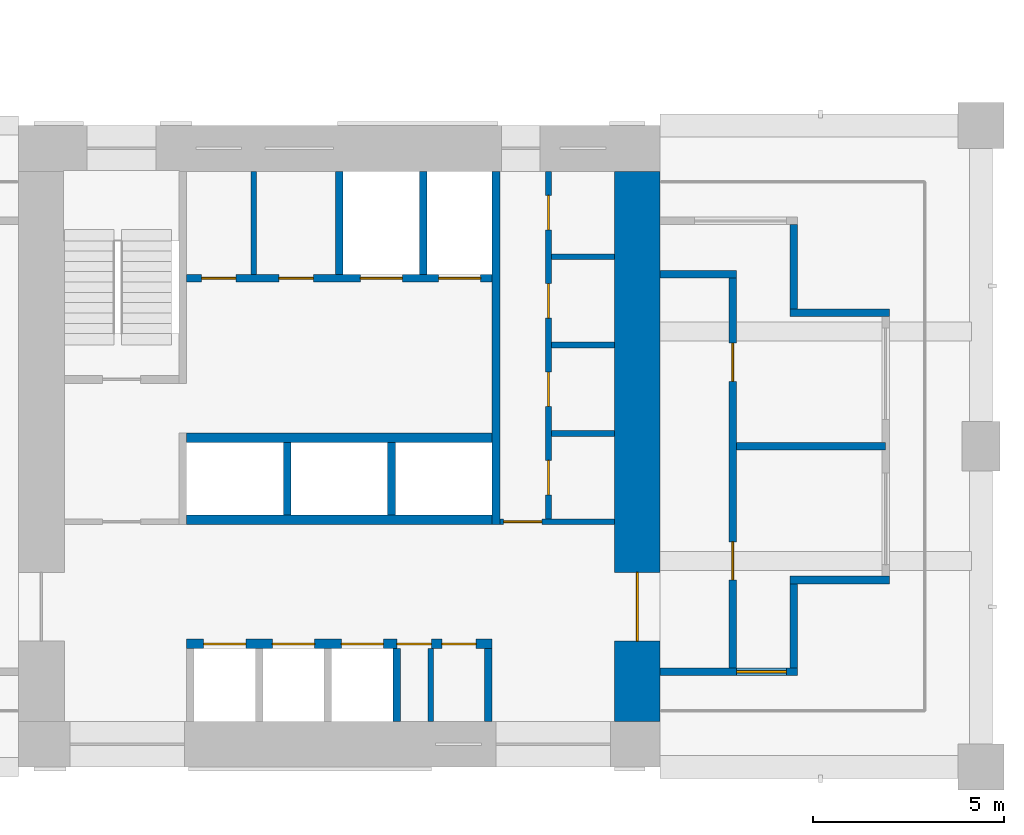
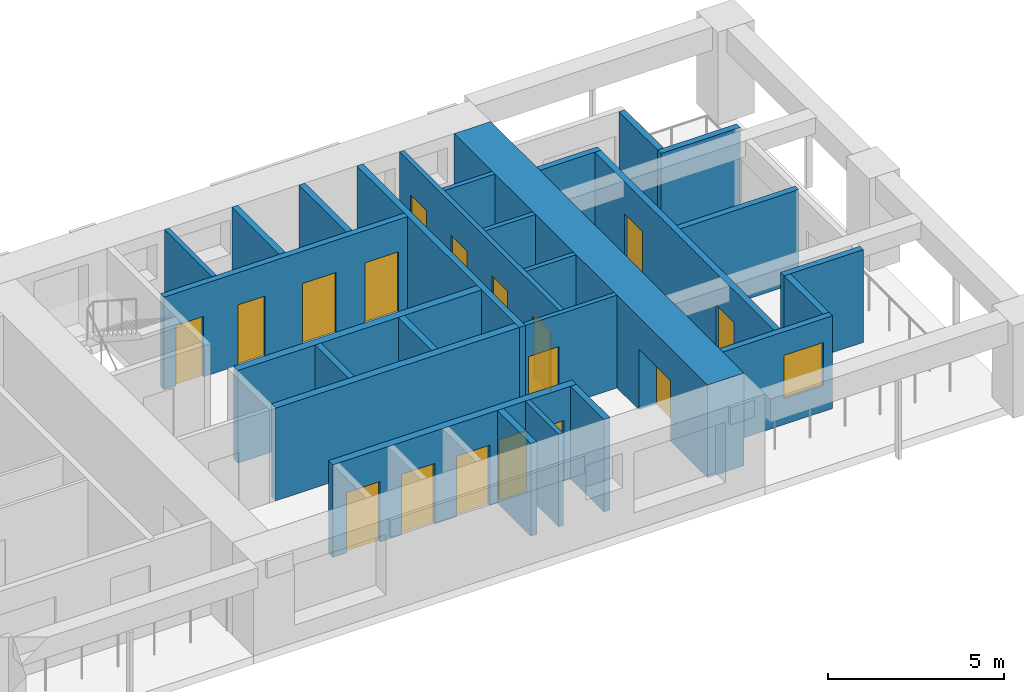
# One storey, part 6 of 17: 27 walls, 17 doors, 1 window, 18 openings.
"""IFC4 building model written with IfcOpenShell, lengths in metres."""

from ifc_helpers import new_model, si_unit, direction, frame, frame_2d, origin, place, context, subcontext, project, spatial, rectangle, extrude, material, layer, layer_set, type_object, element, fill, save


model = new_model("IFC4")

# Units and contexts
model_context = context("Model", 3, precision=1e-05, world=origin(), true_north=direction((0.0, 1.0)))
body_context = subcontext(model_context, "Body", "Model", "MODEL_VIEW")
ifc_project = project(units=[si_unit("LENGTHUNIT", "METRE"), si_unit("AREAUNIT", "SQUARE_METRE"), si_unit("VOLUMEUNIT", "CUBIC_METRE"), si_unit("PLANEANGLEUNIT", "RADIAN"), si_unit("MASSUNIT", "GRAM", prefix="KILO")], contexts=[model_context])

# Site, building, storey
site_placement = place(None, origin())
site = spatial("IfcSite", under=ifc_project, at=site_placement, CompositionType="ELEMENT")
building_placement = place(site_placement, origin())
building = spatial("IfcBuilding", under=site, at=building_placement, Name="Vermilion Gate Residences", CompositionType="ELEMENT")
storey_placement = place(building_placement, frame((0.0, 0.0, 91.699951171875)))
storey = spatial("IfcBuildingStorey", under=building, at=storey_placement, Name="L22", CompositionType="ELEMENT", Elevation=91.699951171875)

# Walls
ifc_material_1 = material(Name="Masonry blockwork", Category="masonry")
ifc_layer_1 = layer(ifc_material_1, 0.14990234375)
ifc_layer_set_1 = layer_set([ifc_layer_1], Name="BLOCKWORK PARTITION 150 EI 120")
wall_type_1 = type_object("IfcWallType", Name="BLOCKWORK PARTITION 150 EI 120", PredefinedType="PARTITIONING", material=ifc_layer_set_1)
wall_1_placement = place(storey_placement, frame((52.79248046875, 9.60009765625, 0.0), z_axis=(0.0, 0.0, 1.0), x_axis=(0.0, 1.0, 0.0)))
element("IfcWall", 1, at=wall_1_placement, inside=storey, type_object=wall_type_1, Name="Core room partition A22-SR-P0", PredefinedType="PARTITIONING", context=body_context, shape_type="SweptSolid", body=[
    extrude(rectangle(XDim=1.89990234375, YDim=0.14990234375, at=frame_2d((0.949951171875, 0.0))), origin(), (0.0, 0.0, 1.0), 3.219970703125),
])
wall_2_placement = place(storey_placement, frame((48.16259765625, 21.300048828125, 0.0), z_axis=(0.0, 0.0, 1.0), x_axis=(0.0, 1.0, 0.0)))
element("IfcWall", 2, at=wall_2_placement, inside=storey, type_object=wall_type_1, Name="Core room partition A22-NR-P0", PredefinedType="PARTITIONING", context=body_context, shape_type="SweptSolid", body=[
    extrude(rectangle(XDim=2.699951171875, YDim=0.14990234375, at=frame_2d((1.35009765625, 0.0))), origin(), (0.0, 0.0, 1.0), 3.219970703125),
])

# Wall, opening, door
wall_3_placement = place(storey_placement, frame((54.60009765625, 14.824951171875, 0.0), z_axis=(0.0, 0.0, 1.0), x_axis=(1.0, 0.0, 0.0)))
wall_3 = element("IfcWall", 3, at=wall_3_placement, inside=storey, type_object=wall_type_1, Name="Core room partition A22-ES-S", PredefinedType="PARTITIONING", context=body_context, shape_type="SweptSolid", body=[
    extrude(rectangle(XDim=3.0, YDim=0.14990234375, at=frame_2d((1.5, 0.0))), origin(), (0.0, 0.0, 1.0), 3.219970703125),
])
opening_1_placement = place(wall_3_placement, frame((0.10009765625, 0.0, 0.0)))
opening_1 = element("IfcOpeningElement", 4, at=opening_1_placement, cuts=wall_3, Name="Opening DK22014", PredefinedType="OPENING", context=body_context, shape_type="SweptSolid", body=[
    extrude(rectangle(XDim=1.0, YDim=2.10009765625, at=frame_2d((0.5, 1.050048828125))), frame((0.0, 0.0849609375, 0.0), z_axis=(0.0, -1.0, 0.0), x_axis=(1.0, 0.0, 0.0)), (0.0, 0.0, 1.0), 0.169921875),
])
ifc_material_2 = material(Name="Steel", Category="steel")
door_type_1 = type_object("IfcDoorType", Name="FIRE DOOR FD60 1000 X 2100", OperationType="SINGLE_SWING_LEFT", PredefinedType="DOOR", material=ifc_material_2)
door_1_placement = place(opening_1_placement, frame((1.0, 0.0, 0.0), z_axis=(0.0, 0.0, 1.0), x_axis=(-1.0, 0.0, 0.0)))
door_1 = element("IfcDoor", 5, at=door_1_placement, inside=storey, type_object=door_type_1, Name="Service corridor door A22", OperationType="SINGLE_SWING_LEFT", OverallHeight=2.10009765625, OverallWidth=1.0, PredefinedType="DOOR", context=body_context, shape_type="SweptSolid", body=[
    extrude(rectangle(XDim=1.0, YDim=2.10009765625, at=frame_2d((0.5, 1.050048828125))), frame((0.0, 0.02490234375, 0.0), z_axis=(0.0, -1.0, 0.0), x_axis=(1.0, 0.0, 0.0)), (0.0, 0.0, 1.0), 0.050048828125),
])
fill(opening_1, door_1)

# Walls
for number, where, z_axis, x_axis, name in (
    (6, (55.949951171875, 17.137451171875, 0.0), (0.0, 0.0, 1.0), (1.0, 0.0, 0.0), "Core room partition A22-ES-P0"),
    (7, (55.949951171875, 19.449951171875, 0.0), (0.0, 0.0, 1.0), (1.0, 0.0, 0.0), "Core room partition A22-ES-P1"),
    (8, (55.949951171875, 21.762451171875, 0.0), (0.0, 0.0, 1.0), (1.0, 0.0, 0.0), "Core room partition A22-ES-P2"),
):
    element("IfcWall", number, at=place(storey_placement, frame(where, z_axis=z_axis, x_axis=x_axis)), inside=storey, type_object=wall_type_1, Name=name, PredefinedType="PARTITIONING", context=body_context, shape_type="SweptSolid", body=[
        extrude(rectangle(XDim=1.650146484375, YDim=0.14990234375, at=frame_2d((0.8251953125, 0.0))), origin(), (0.0, 0.0, 1.0), 3.219970703125),
    ])

# Wall, openings, doors
wall_4_placement = place(storey_placement, frame((55.875, 14.89990234375, 0.0), z_axis=(0.0, 0.0, 1.0), x_axis=(0.0, 1.0, 0.0)))
wall_4 = element("IfcWall", 9, at=wall_4_placement, inside=storey, type_object=wall_type_1, Name="Core room partition A22-ES-W", PredefinedType="PARTITIONING", context=body_context, shape_type="SweptSolid", body=[
    extrude(rectangle(XDim=9.10009765625, YDim=0.14990234375, at=frame_2d((4.550048828125, 0.0))), origin(), (0.0, 0.0, 1.0), 3.219970703125),
])
opening_2_placement = place(wall_4_placement, frame((0.63134765625, 0.0, 0.0)))
opening_2 = element("IfcOpeningElement", 10, at=opening_2_placement, cuts=wall_4, Name="Opening DK22015", PredefinedType="OPENING", context=body_context, shape_type="SweptSolid", body=[
    extrude(rectangle(XDim=0.89990234375, YDim=2.10009765625, at=frame_2d((0.449951171875, 1.050048828125))), frame((0.0, 0.0849609375, 0.0), z_axis=(0.0, -1.0, 0.0), x_axis=(1.0, 0.0, 0.0)), (0.0, 0.0, 1.0), 0.169921875),
])
opening_3_placement = place(wall_4_placement, frame((2.94384765625, 0.0, 0.0)))
opening_3 = element("IfcOpeningElement", 11, at=opening_3_placement, cuts=wall_4, Name="Opening DK22016", PredefinedType="OPENING", context=body_context, shape_type="SweptSolid", body=[
    extrude(rectangle(XDim=0.89990234375, YDim=2.10009765625, at=frame_2d((0.449951171875, 1.050048828125))), frame((0.0, 0.0849609375, 0.0), z_axis=(0.0, -1.0, 0.0), x_axis=(1.0, 0.0, 0.0)), (0.0, 0.0, 1.0), 0.169921875),
])
opening_4_placement = place(wall_4_placement, frame((5.25634765625, 0.0, 0.0)))
opening_4 = element("IfcOpeningElement", 12, at=opening_4_placement, cuts=wall_4, Name="Opening DK22017", PredefinedType="OPENING", context=body_context, shape_type="SweptSolid", body=[
    extrude(rectangle(XDim=0.89990234375, YDim=2.10009765625, at=frame_2d((0.449951171875, 1.050048828125))), frame((0.0, 0.0849609375, 0.0), z_axis=(0.0, -1.0, 0.0), x_axis=(1.0, 0.0, 0.0)), (0.0, 0.0, 1.0), 0.169921875),
])
opening_5_placement = place(wall_4_placement, frame((7.56884765625, 0.0, 0.0)))
opening_5 = element("IfcOpeningElement", 13, at=opening_5_placement, cuts=wall_4, Name="Opening DK22018", PredefinedType="OPENING", context=body_context, shape_type="SweptSolid", body=[
    extrude(rectangle(XDim=0.89990234375, YDim=2.10009765625, at=frame_2d((0.449951171875, 1.050048828125))), frame((0.0, 0.0849609375, 0.0), z_axis=(0.0, -1.0, 0.0), x_axis=(1.0, 0.0, 0.0)), (0.0, 0.0, 1.0), 0.169921875),
])
ifc_material_3 = material(Name="Steel", Category="steel")
door_type_2 = type_object("IfcDoorType", Name="SERVICE ROOM DOOR FD60 900 X 2100", OperationType="SINGLE_SWING_LEFT", PredefinedType="DOOR", material=ifc_material_3)
door_2_placement = place(opening_2_placement, frame((0.89990234375, 0.0, 0.0), z_axis=(0.0, 0.0, 1.0), x_axis=(-1.0, 0.0, 0.0)))
door_2 = element("IfcDoor", 14, at=door_2_placement, inside=storey, type_object=door_type_2, Name="Electrical room A22", OperationType="SINGLE_SWING_RIGHT", OverallHeight=2.10009765625, OverallWidth=0.89990234375, PredefinedType="DOOR", context=body_context, shape_type="SweptSolid", body=[
    extrude(rectangle(XDim=0.89990234375, YDim=2.10009765625, at=frame_2d((0.449951171875, 1.050048828125))), frame((0.0, 0.02490234375, 0.0), z_axis=(0.0, -1.0, 0.0), x_axis=(1.0, 0.0, 0.0)), (0.0, 0.0, 1.0), 0.050048828125),
])
fill(opening_2, door_2)
door_3_placement = place(opening_3_placement, frame((0.89990234375, 0.0, 0.0), z_axis=(0.0, 0.0, 1.0), x_axis=(-1.0, 0.0, 0.0)))
door_3 = element("IfcDoor", 15, at=door_3_placement, inside=storey, type_object=door_type_2, Name="Storage room A22", OperationType="SINGLE_SWING_RIGHT", OverallHeight=2.10009765625, OverallWidth=0.89990234375, PredefinedType="DOOR", context=body_context, shape_type="SweptSolid", body=[
    extrude(rectangle(XDim=0.89990234375, YDim=2.10009765625, at=frame_2d((0.449951171875, 1.050048828125))), frame((0.0, 0.02490234375, 0.0), z_axis=(0.0, -1.0, 0.0), x_axis=(1.0, 0.0, 0.0)), (0.0, 0.0, 1.0), 0.050048828125),
])
fill(opening_3, door_3)
door_4_placement = place(opening_4_placement, frame((0.89990234375, 0.0, 0.0), z_axis=(0.0, 0.0, 1.0), x_axis=(-1.0, 0.0, 0.0)))
door_4 = element("IfcDoor", 16, at=door_4_placement, inside=storey, type_object=door_type_2, Name="Storage room A22", OperationType="SINGLE_SWING_RIGHT", OverallHeight=2.10009765625, OverallWidth=0.89990234375, PredefinedType="DOOR", context=body_context, shape_type="SweptSolid", body=[
    extrude(rectangle(XDim=0.89990234375, YDim=2.10009765625, at=frame_2d((0.449951171875, 1.050048828125))), frame((0.0, 0.02490234375, 0.0), z_axis=(0.0, -1.0, 0.0), x_axis=(1.0, 0.0, 0.0)), (0.0, 0.0, 1.0), 0.050048828125),
])
fill(opening_4, door_4)
door_5_placement = place(opening_5_placement, frame((0.89990234375, 0.0, 0.0), z_axis=(0.0, 0.0, 1.0), x_axis=(-1.0, 0.0, 0.0)))
door_5 = element("IfcDoor", 17, at=door_5_placement, inside=storey, type_object=door_type_2, Name="Communications room A22", OperationType="SINGLE_SWING_RIGHT", OverallHeight=2.10009765625, OverallWidth=0.89990234375, PredefinedType="DOOR", context=body_context, shape_type="SweptSolid", body=[
    extrude(rectangle(XDim=0.89990234375, YDim=2.10009765625, at=frame_2d((0.449951171875, 1.050048828125))), frame((0.0, 0.02490234375, 0.0), z_axis=(0.0, -1.0, 0.0), x_axis=(1.0, 0.0, 0.0)), (0.0, 0.0, 1.0), 0.050048828125),
])
fill(opening_5, door_5)

# Wall, opening, window
ifc_material_4 = material(Name="Insulated steel stud wall with terracotta rainscreen", Category="masonry")
ifc_layer_2 = layer(ifc_material_4, 0.199951171875)
ifc_layer_set_2 = layer_set([ifc_layer_2], Name="EXTERNAL WALL 200 TERRACOTTA RAINSCREEN")
wall_type_2 = type_object("IfcWallType", Name="EXTERNAL WALL 200 TERRACOTTA RAINSCREEN", PredefinedType="SOLIDWALL", material=ifc_layer_set_2)
wall_5_placement = place(storey_placement, frame((58.800048828125, 10.89990234375, 0.0), z_axis=(0.0, 0.0, 1.0), x_axis=(1.0, 0.0, 0.0)))
wall_5 = element("IfcWall", 18, at=wall_5_placement, inside=storey, type_object=wall_type_2, Name="External wall", PredefinedType="SOLIDWALL", context=body_context, shape_type="SweptSolid", body=[
    extrude(rectangle(XDim=3.599853515625, YDim=0.199951171875, at=frame_2d((1.7998046875, 0.0))), origin(), (0.0, 0.0, 1.0), 3.219970703125),
])
opening_6_placement = place(wall_5_placement, frame((2.0, 0.0, 0.89990234375)))
opening_6 = element("IfcOpeningElement", 19, at=opening_6_placement, cuts=wall_5, Name="Opening WE22020", PredefinedType="OPENING", context=body_context, shape_type="SweptSolid", body=[
    extrude(rectangle(XDim=1.300048828125, YDim=1.5, at=frame_2d((0.64990234375, 0.75))), frame((0.0, 0.10986328125, 0.0), z_axis=(0.0, -1.0, 0.0), x_axis=(1.0, 0.0, 0.0)), (0.0, 0.0, 1.0), 0.219970703125),
])
ifc_material_5 = material(Name="Aluminium and clear glass", Category="aluminium")
window_type = type_object("IfcWindowType", Name="WINDOW 1300 X 1500", PartitioningType="SINGLE_PANEL", PredefinedType="WINDOW", material=ifc_material_5)
window_placement = place(opening_6_placement, origin())
window = element("IfcWindow", 20, at=window_placement, inside=storey, type_object=window_type, Name="Window", OverallHeight=1.5, OverallWidth=1.300048828125, PartitioningType="SINGLE_PANEL", PredefinedType="WINDOW", context=body_context, shape_type="SweptSolid", body=[
    extrude(rectangle(XDim=1.300048828125, YDim=1.5, at=frame_2d((0.64990234375, 0.75))), frame((0.0, 0.030029296875, 0.0), z_axis=(0.0, -1.0, 0.0), x_axis=(1.0, 0.0, 0.0)), (0.0, 0.0, 1.0), 0.06005859375),
])
fill(opening_6, window)

# Walls
wall_6_placement = place(storey_placement, frame((62.300048828125, 11.0, 0.0), z_axis=(0.0, 0.0, 1.0), x_axis=(0.0, 1.0, 0.0)))
element("IfcWall", 21, at=wall_6_placement, inside=storey, type_object=wall_type_2, Name="External wall", PredefinedType="SOLIDWALL", context=body_context, shape_type="SweptSolid", body=[
    extrude(rectangle(XDim=2.199951171875, YDim=0.199951171875, at=frame_2d((1.10009765625, 0.0))), origin(), (0.0, 0.0, 1.0), 3.219970703125),
])
for number, where, z_axis, x_axis, name in (
    (22, (62.199951171875, 13.300048828125, 0.0), (0.0, 0.0, 1.0), (1.0, 0.0, 0.0), "External wall"),
    (23, (64.800048828125, 20.300048828125, 0.0), (0.0, 0.0, 1.0), (-1.0, 0.0, 0.0), "External wall"),
):
    element("IfcWall", number, at=place(storey_placement, frame(where, z_axis=z_axis, x_axis=x_axis)), inside=storey, type_object=wall_type_2, Name=name, PredefinedType="SOLIDWALL", context=body_context, shape_type="SweptSolid", body=[
        extrude(rectangle(XDim=2.60009765625, YDim=0.199951171875, at=frame_2d((1.300048828125, 0.0))), origin(), (0.0, 0.0, 1.0), 3.219970703125),
    ])
wall_7_placement = place(storey_placement, frame((62.300048828125, 20.39990234375, 0.0), z_axis=(0.0, 0.0, 1.0), x_axis=(0.0, 1.0, 0.0)))
element("IfcWall", 24, at=wall_7_placement, inside=storey, type_object=wall_type_2, Name="External wall", PredefinedType="SOLIDWALL", context=body_context, shape_type="SweptSolid", body=[
    extrude(rectangle(XDim=2.2001953125, YDim=0.199951171875, at=frame_2d((1.10009765625, 0.0))), origin(), (0.0, 0.0, 1.0), 3.219970703125),
])
ifc_material_6 = material(Name="Fire-rated plasterboard on steel studs", Category="steel")
ifc_layer_3 = layer(ifc_material_6, 0.199951171875)
ifc_layer_set_3 = layer_set([ifc_layer_3], Name="PARTY WALL 200 EI 120")
wall_type_3 = type_object("IfcWallType", Name="PARTY WALL 200 EI 120", PredefinedType="PARTITIONING", material=ifc_layer_set_3)
wall_8_placement = place(storey_placement, frame((60.800048828125, 16.800048828125, 0.0), z_axis=(0.0, 0.0, 1.0), x_axis=(1.0, 0.0, 0.0)))
element("IfcWall", 25, at=wall_8_placement, inside=storey, type_object=wall_type_3, Name="Party and corridor wall", PredefinedType="PARTITIONING", context=body_context, shape_type="SweptSolid", body=[
    extrude(rectangle(XDim=3.89990234375, YDim=0.199951171875, at=frame_2d((1.949951171875, 0.0))), origin(), (0.0, 0.0, 1.0), 3.219970703125),
])
wall_9_placement = place(storey_placement, frame((58.800048828125, 21.300048828125, 0.0), z_axis=(0.0, 0.0, 1.0), x_axis=(1.0, 0.0, 0.0)))
element("IfcWall", 26, at=wall_9_placement, inside=storey, type_object=wall_type_3, Name="Party and corridor wall", PredefinedType="PARTITIONING", context=body_context, shape_type="SweptSolid", body=[
    extrude(rectangle(XDim=2.0, YDim=0.199951171875, at=frame_2d((1.0, 0.0))), origin(), (0.0, 0.0, 1.0), 3.219970703125),
])

# Wall, openings, doors
wall_10_placement = place(storey_placement, frame((60.699951171875, 10.89990234375, 0.0), z_axis=(0.0, 0.0, 1.0), x_axis=(0.0, 1.0, 0.0)))
wall_10 = element("IfcWall", 27, at=wall_10_placement, inside=storey, type_object=wall_type_3, Name="Party and corridor wall", PredefinedType="PARTITIONING", context=body_context, shape_type="SweptSolid", body=[
    extrude(rectangle(XDim=10.300048828125, YDim=0.199951171875, at=frame_2d((5.14990234375, 0.0))), origin(), (0.0, 0.0, 1.0), 3.219970703125),
])
opening_7_placement = place(wall_10_placement, frame((2.39990234375, 0.0, 0.0)))
opening_7 = element("IfcOpeningElement", 28, at=opening_7_placement, cuts=wall_10, Name="Opening DA22051", PredefinedType="OPENING", context=body_context, shape_type="SweptSolid", body=[
    extrude(rectangle(XDim=1.0, YDim=2.10009765625, at=frame_2d((0.5, 1.050048828125))), frame((0.0, 0.10986328125, 0.0), z_axis=(0.0, -1.0, 0.0), x_axis=(1.0, 0.0, 0.0)), (0.0, 0.0, 1.0), 0.219970703125),
])
opening_8_placement = place(wall_10_placement, frame((7.60009765625, 0.0, 0.0)))
opening_8 = element("IfcOpeningElement", 29, at=opening_8_placement, cuts=wall_10, Name="Opening DA22052", PredefinedType="OPENING", context=body_context, shape_type="SweptSolid", body=[
    extrude(rectangle(XDim=1.0, YDim=2.10009765625, at=frame_2d((0.5, 1.050048828125))), frame((0.0, 0.10986328125, 0.0), z_axis=(0.0, -1.0, 0.0), x_axis=(1.0, 0.0, 0.0)), (0.0, 0.0, 1.0), 0.219970703125),
])
ifc_material_7 = material(Name="Steel", Category="steel")
door_type_3 = type_object("IfcDoorType", Name="ENTRANCE DOOR 1000 X 2100 FD30", OperationType="SINGLE_SWING_LEFT", PredefinedType="DOOR", material=ifc_material_7)
door_6_placement = place(opening_7_placement, frame((1.0, 0.0, 0.0), z_axis=(0.0, 0.0, 1.0), x_axis=(-1.0, 0.0, 0.0)))
door_6 = element("IfcDoor", 30, at=door_6_placement, inside=storey, type_object=door_type_3, Name="Entrance door", OperationType="SINGLE_SWING_RIGHT", OverallHeight=2.10009765625, OverallWidth=1.0, PredefinedType="DOOR", context=body_context, shape_type="SweptSolid", body=[
    extrude(rectangle(XDim=1.0, YDim=2.10009765625, at=frame_2d((0.5, 1.050048828125))), frame((0.0, 0.02490234375, 0.0), z_axis=(0.0, -1.0, 0.0), x_axis=(1.0, 0.0, 0.0)), (0.0, 0.0, 1.0), 0.050048828125),
])
fill(opening_7, door_6)
door_7_placement = place(opening_8_placement, frame((1.0, 0.0, 0.0), z_axis=(0.0, 0.0, 1.0), x_axis=(-1.0, 0.0, 0.0)))
door_7 = element("IfcDoor", 31, at=door_7_placement, inside=storey, type_object=door_type_3, Name="Entrance door", OperationType="SINGLE_SWING_RIGHT", OverallHeight=2.10009765625, OverallWidth=1.0, PredefinedType="DOOR", context=body_context, shape_type="SweptSolid", body=[
    extrude(rectangle(XDim=1.0, YDim=2.10009765625, at=frame_2d((0.5, 1.050048828125))), frame((0.0, 0.02490234375, 0.0), z_axis=(0.0, -1.0, 0.0), x_axis=(1.0, 0.0, 0.0)), (0.0, 0.0, 1.0), 0.050048828125),
])
fill(opening_8, door_7)

# Walls
ifc_material_8 = material(Name="Concrete C60", Category="concrete")
ifc_layer_4 = layer(ifc_material_8, 0.199951171875)
ifc_layer_set_4 = layer_set([ifc_layer_4], Name="RC CORE INTERNAL WALL 200 C60")
wall_type_4 = type_object("IfcWallType", Name="RC CORE INTERNAL WALL 200 C60", PredefinedType="SHEAR", material=ifc_layer_set_4)
for number, where, z_axis, x_axis, name in (
    (32, (51.89990234375, 9.60009765625, 0.0), (0.0, 0.0, 1.0), (0.0, 1.0, 0.0), "Core internal wall A22-LR-D3"),
    (33, (54.300048828125, 9.60009765625, 0.0), (0.0, 0.0, 1.0), (0.0, 1.0, 0.0), "Core internal wall A22-LR-DE"),
    (34, (49.033447265625, 15.0, 0.0), (0.0, 0.0, 1.0), (0.0, 1.0, 0.0), "Core internal wall A22-HR-D1"),
    (35, (51.7666015625, 15.0, 0.0), (0.0, 0.0, 1.0), (0.0, 1.0, 0.0), "Core internal wall A22-HR-D2"),
):
    element("IfcWall", number, at=place(storey_placement, frame(where, z_axis=z_axis, x_axis=x_axis)), inside=storey, type_object=wall_type_4, Name=name, PredefinedType="SHEAR", context=body_context, shape_type="SweptSolid", body=[
        extrude(rectangle(XDim=1.89990234375, YDim=0.199951171875, at=frame_2d((0.949951171875, 0.0))), origin(), (0.0, 0.0, 1.0), 3.219970703125),
    ])
for number, where, z_axis, x_axis, name in (
    (36, (50.39990234375, 21.300048828125, 0.0), (0.0, 0.0, 1.0), (0.0, 1.0, 0.0), "Core internal wall A22-FF-D0"),
    (37, (52.60009765625, 21.300048828125, 0.0), (0.0, 0.0, 1.0), (0.0, 1.0, 0.0), "Core internal wall A22-FF-D1"),
):
    element("IfcWall", number, at=place(storey_placement, frame(where, z_axis=z_axis, x_axis=x_axis)), inside=storey, type_object=wall_type_4, Name=name, PredefinedType="SHEAR", context=body_context, shape_type="SweptSolid", body=[
        extrude(rectangle(XDim=2.699951171875, YDim=0.199951171875, at=frame_2d((1.35009765625, 0.0))), origin(), (0.0, 0.0, 1.0), 3.219970703125),
    ])

# Wall, openings, doors
wall_11_placement = place(storey_placement, frame((46.39990234375, 21.199951171875, 0.0), z_axis=(0.0, 0.0, 1.0), x_axis=(1.0, 0.0, 0.0)))
wall_11 = element("IfcWall", 38, at=wall_11_placement, inside=storey, type_object=wall_type_4, Name="Core internal wall A22-FF-F", PredefinedType="SHEAR", context=body_context, shape_type="SweptSolid", body=[
    extrude(rectangle(XDim=8.0, YDim=0.199951171875, at=frame_2d((4.0, 0.0))), origin(), (0.0, 0.0, 1.0), 3.219970703125),
])
opening_9_placement = place(wall_11_placement, frame((0.393798828125, 0.0, 0.0)))
opening_9 = element("IfcOpeningElement", 39, at=opening_9_placement, cuts=wall_11, Name="Opening DK22008", PredefinedType="OPENING", context=body_context, shape_type="SweptSolid", body=[
    extrude(rectangle(XDim=0.89990234375, YDim=2.10009765625, at=frame_2d((0.449951171875, 1.050048828125))), frame((0.0, 0.10986328125, 0.0), z_axis=(0.0, -1.0, 0.0), x_axis=(1.0, 0.0, 0.0)), (0.0, 0.0, 1.0), 0.219970703125),
])
opening_10_placement = place(wall_11_placement, frame((2.418701171875, 0.0, 0.0)))
opening_10 = element("IfcOpeningElement", 40, at=opening_10_placement, cuts=wall_11, Name="Opening DK22009", PredefinedType="OPENING", context=body_context, shape_type="SweptSolid", body=[
    extrude(rectangle(XDim=0.89990234375, YDim=2.10009765625, at=frame_2d((0.449951171875, 1.050048828125))), frame((0.0, 0.10986328125, 0.0), z_axis=(0.0, -1.0, 0.0), x_axis=(1.0, 0.0, 0.0)), (0.0, 0.0, 1.0), 0.219970703125),
])
opening_11_placement = place(wall_11_placement, frame((4.550048828125, 0.0, 0.0)))
opening_11 = element("IfcOpeningElement", 41, at=opening_11_placement, cuts=wall_11, Name="Opening LD", PredefinedType="OPENING", context=body_context, shape_type="SweptSolid", body=[
    extrude(rectangle(XDim=1.10009765625, YDim=2.10009765625, at=frame_2d((0.550048828125, 1.050048828125))), frame((0.0, 0.10986328125, 0.0), z_axis=(0.0, -1.0, 0.0), x_axis=(1.0, 0.0, 0.0)), (0.0, 0.0, 1.0), 0.219970703125),
])
opening_12_placement = place(wall_11_placement, frame((6.60009765625, 0.0, 0.0)))
opening_12 = element("IfcOpeningElement", 42, at=opening_12_placement, cuts=wall_11, Name="Opening LD", PredefinedType="OPENING", context=body_context, shape_type="SweptSolid", body=[
    extrude(rectangle(XDim=1.10009765625, YDim=2.10009765625, at=frame_2d((0.550048828125, 1.050048828125))), frame((0.0, 0.10986328125, 0.0), z_axis=(0.0, -1.0, 0.0), x_axis=(1.0, 0.0, 0.0)), (0.0, 0.0, 1.0), 0.219970703125),
])
ifc_material_9 = material(Name="Stainless steel", Category="steel")
door_type_4 = type_object("IfcDoorType", Name="LIFT LANDING DOOR E60 1100 X 2100", OperationType="DOUBLE_DOOR_SLIDING", PredefinedType="DOOR", material=ifc_material_9)
door_8_placement = place(opening_11_placement, origin())
door_8 = element("IfcDoor", 43, at=door_8_placement, inside=storey, type_object=door_type_4, Name="Lift landing door LFA1", OperationType="DOUBLE_DOOR_SLIDING", OverallHeight=2.10009765625, OverallWidth=1.10009765625, PredefinedType="DOOR", context=body_context, shape_type="SweptSolid", body=[
    extrude(rectangle(XDim=1.10009765625, YDim=2.10009765625, at=frame_2d((0.550048828125, 1.050048828125))), frame((0.0, 0.02490234375, 0.0), z_axis=(0.0, -1.0, 0.0), x_axis=(1.0, 0.0, 0.0)), (0.0, 0.0, 1.0), 0.050048828125),
])
fill(opening_11, door_8)
door_9_placement = place(opening_12_placement, origin())
door_9 = element("IfcDoor", 44, at=door_9_placement, inside=storey, type_object=door_type_4, Name="Lift landing door LCA1", OperationType="DOUBLE_DOOR_SLIDING", OverallHeight=2.10009765625, OverallWidth=1.10009765625, PredefinedType="DOOR", context=body_context, shape_type="SweptSolid", body=[
    extrude(rectangle(XDim=1.10009765625, YDim=2.10009765625, at=frame_2d((0.550048828125, 1.050048828125))), frame((0.0, 0.02490234375, 0.0), z_axis=(0.0, -1.0, 0.0), x_axis=(1.0, 0.0, 0.0)), (0.0, 0.0, 1.0), 0.050048828125),
])
fill(opening_12, door_9)
door_10_placement = place(opening_9_placement, origin())
door_10 = element("IfcDoor", 45, at=door_10_placement, inside=storey, type_object=door_type_2, Name="Parcel room A22", OperationType="SINGLE_SWING_LEFT", OverallHeight=2.10009765625, OverallWidth=0.89990234375, PredefinedType="DOOR", context=body_context, shape_type="SweptSolid", body=[
    extrude(rectangle(XDim=0.89990234375, YDim=2.10009765625, at=frame_2d((0.449951171875, 1.050048828125))), frame((0.0, 0.02490234375, 0.0), z_axis=(0.0, -1.0, 0.0), x_axis=(1.0, 0.0, 0.0)), (0.0, 0.0, 1.0), 0.050048828125),
])
fill(opening_9, door_10)
door_11_placement = place(opening_10_placement, frame((0.89990234375, 0.0, 0.0), z_axis=(0.0, 0.0, 1.0), x_axis=(-1.0, 0.0, 0.0)))
door_11 = element("IfcDoor", 46, at=door_11_placement, inside=storey, type_object=door_type_2, Name="Electrical room A22", OperationType="SINGLE_SWING_RIGHT", OverallHeight=2.10009765625, OverallWidth=0.89990234375, PredefinedType="DOOR", context=body_context, shape_type="SweptSolid", body=[
    extrude(rectangle(XDim=0.89990234375, YDim=2.10009765625, at=frame_2d((0.449951171875, 1.050048828125))), frame((0.0, 0.02490234375, 0.0), z_axis=(0.0, -1.0, 0.0), x_axis=(1.0, 0.0, 0.0)), (0.0, 0.0, 1.0), 0.050048828125),
])
fill(opening_10, door_11)

# Wall
wall_12_placement = place(storey_placement, frame((54.5, 14.75, 0.0), z_axis=(0.0, 0.0, 1.0), x_axis=(0.0, 1.0, 0.0)))
element("IfcWall", 47, at=wall_12_placement, inside=storey, type_object=wall_type_4, Name="Core internal wall A22-EDIV", PredefinedType="SHEAR", context=body_context, shape_type="SweptSolid", body=[
    extrude(rectangle(XDim=9.25, YDim=0.199951171875, at=frame_2d((4.625, 0.0))), origin(), (0.0, 0.0, 1.0), 3.219970703125),
])

# Wall, opening, door
ifc_material_10 = material(Name="Concrete C70", Category="concrete")
ifc_layer_5 = layer(ifc_material_10, 1.199951171875)
ifc_layer_set_5 = layer_set([ifc_layer_5], Name="RC CORE WALL 1200 C70")
wall_type_5 = type_object("IfcWallType", Name="RC CORE WALL 1200 C70", PredefinedType="SHEAR", material=ifc_layer_set_5)
wall_13_placement = place(storey_placement, frame((58.199951171875, 9.60009765625, 0.0), z_axis=(0.0, 0.0, 1.0), x_axis=(0.0, 1.0, 0.0)))
wall_13 = element("IfcWall", 48, at=wall_13_placement, inside=storey, type_object=wall_type_5, Name="Core wall A22-OUT-BK", PredefinedType="SHEAR", context=body_context, shape_type="SweptSolid", body=[
    extrude(rectangle(XDim=14.39990234375, YDim=1.199951171875, at=frame_2d((7.199951171875, 0.0))), origin(), (0.0, 0.0, 1.0), 3.219970703125),
])
opening_13_placement = place(wall_13_placement, frame((2.10009765625, 0.0, 0.0)))
opening_13 = element("IfcOpeningElement", 49, at=opening_13_placement, cuts=wall_13, Name="Opening DK22002", PredefinedType="OPENING", context=body_context, shape_type="SweptSolid", body=[
    extrude(rectangle(XDim=1.800048828125, YDim=2.10009765625, at=frame_2d((0.89990234375, 1.050048828125))), frame((0.0, 0.60986328125, 0.0), z_axis=(0.0, -1.0, 0.0), x_axis=(1.0, 0.0, 0.0)), (0.0, 0.0, 1.0), 1.219970703125),
])
ifc_material_11 = material(Name="Steel", Category="steel")
door_type_5 = type_object("IfcDoorType", Name="CORE LOBBY DOOR FD60 1800 X 2100", OperationType="DOUBLE_DOOR_SINGLE_SWING", PredefinedType="DOOR", material=ifc_material_11)
door_12_placement = place(opening_13_placement, origin())
door_12 = element("IfcDoor", 50, at=door_12_placement, inside=storey, type_object=door_type_5, Name="Core lobby door A22", OperationType="DOUBLE_DOOR_SINGLE_SWING", OverallHeight=2.10009765625, OverallWidth=1.800048828125, PredefinedType="DOOR", context=body_context, shape_type="SweptSolid", body=[
    extrude(rectangle(XDim=1.800048828125, YDim=2.10009765625, at=frame_2d((0.89990234375, 1.050048828125))), frame((0.0, 0.02490234375, 0.0), z_axis=(0.0, -1.0, 0.0), x_axis=(1.0, 0.0, 0.0)), (0.0, 0.0, 1.0), 0.050048828125),
])
fill(opening_13, door_12)

# Wall, openings, doors
ifc_material_12 = material(Name="Concrete C60", Category="concrete")
ifc_layer_6 = layer(ifc_material_12, 0.25)
ifc_layer_set_6 = layer_set([ifc_layer_6], Name="RC LIFT SHAFT WALL 250 C60")
wall_type_6 = type_object("IfcWallType", Name="RC LIFT SHAFT WALL 250 C60", PredefinedType="SHEAR", material=ifc_layer_set_6)
wall_14_placement = place(storey_placement, frame((46.39990234375, 11.625, 0.0), z_axis=(0.0, 0.0, 1.0), x_axis=(1.0, 0.0, 0.0)))
wall_14 = element("IfcWall", 51, at=wall_14_placement, inside=storey, type_object=wall_type_6, Name="Lift shaft wall A22-LR-F", PredefinedType="SHEAR", context=body_context, shape_type="SweptSolid", body=[
    extrude(rectangle(XDim=8.0, YDim=0.25, at=frame_2d((4.0, 0.0))), origin(), (0.0, 0.0, 1.0), 3.219970703125),
])
opening_14_placement = place(wall_14_placement, frame((0.449951171875, 0.0, 0.0)))
opening_14 = element("IfcOpeningElement", 52, at=opening_14_placement, cuts=wall_14, Name="Opening LD", PredefinedType="OPENING", context=body_context, shape_type="SweptSolid", body=[
    extrude(rectangle(XDim=1.10009765625, YDim=2.10009765625, at=frame_2d((0.550048828125, 1.050048828125))), frame((0.0, 0.135009765625, 0.0), z_axis=(0.0, -1.0, 0.0), x_axis=(1.0, 0.0, 0.0)), (0.0, 0.0, 1.0), 0.27001953125),
])
opening_15_placement = place(wall_14_placement, frame((2.25, 0.0, 0.0)))
opening_15 = element("IfcOpeningElement", 53, at=opening_15_placement, cuts=wall_14, Name="Opening LD", PredefinedType="OPENING", context=body_context, shape_type="SweptSolid", body=[
    extrude(rectangle(XDim=1.10009765625, YDim=2.10009765625, at=frame_2d((0.550048828125, 1.050048828125))), frame((0.0, 0.135009765625, 0.0), z_axis=(0.0, -1.0, 0.0), x_axis=(1.0, 0.0, 0.0)), (0.0, 0.0, 1.0), 0.27001953125),
])
opening_16_placement = place(wall_14_placement, frame((4.050048828125, 0.0, 0.0)))
opening_16 = element("IfcOpeningElement", 54, at=opening_16_placement, cuts=wall_14, Name="Opening LD", PredefinedType="OPENING", context=body_context, shape_type="SweptSolid", body=[
    extrude(rectangle(XDim=1.10009765625, YDim=2.10009765625, at=frame_2d((0.550048828125, 1.050048828125))), frame((0.0, 0.135009765625, 0.0), z_axis=(0.0, -1.0, 0.0), x_axis=(1.0, 0.0, 0.0)), (0.0, 0.0, 1.0), 0.27001953125),
])
opening_17_placement = place(wall_14_placement, frame((5.5087890625, 0.0, 0.0)))
opening_17 = element("IfcOpeningElement", 55, at=opening_17_placement, cuts=wall_14, Name="Opening DK22006", PredefinedType="OPENING", context=body_context, shape_type="SweptSolid", body=[
    extrude(rectangle(XDim=0.89990234375, YDim=2.10009765625, at=frame_2d((0.449951171875, 1.050048828125))), frame((0.0, 0.135009765625, 0.0), z_axis=(0.0, -1.0, 0.0), x_axis=(1.0, 0.0, 0.0)), (0.0, 0.0, 1.0), 0.27001953125),
])
opening_18_placement = place(wall_14_placement, frame((6.683837890625, 0.0, 0.0)))
opening_18 = element("IfcOpeningElement", 56, at=opening_18_placement, cuts=wall_14, Name="Opening DK22007", PredefinedType="OPENING", context=body_context, shape_type="SweptSolid", body=[
    extrude(rectangle(XDim=0.89990234375, YDim=2.10009765625, at=frame_2d((0.449951171875, 1.050048828125))), frame((0.0, 0.135009765625, 0.0), z_axis=(0.0, -1.0, 0.0), x_axis=(1.0, 0.0, 0.0)), (0.0, 0.0, 1.0), 0.27001953125),
])
door_13_placement = place(opening_14_placement, origin())
door_13 = element("IfcDoor", 57, at=door_13_placement, inside=storey, type_object=door_type_4, Name="Lift landing door LRA1", OperationType="DOUBLE_DOOR_SLIDING", OverallHeight=2.10009765625, OverallWidth=1.10009765625, PredefinedType="DOOR", context=body_context, shape_type="SweptSolid", body=[
    extrude(rectangle(XDim=1.10009765625, YDim=2.10009765625, at=frame_2d((0.550048828125, 1.050048828125))), frame((0.0, 0.02490234375, 0.0), z_axis=(0.0, -1.0, 0.0), x_axis=(1.0, 0.0, 0.0)), (0.0, 0.0, 1.0), 0.050048828125),
])
fill(opening_14, door_13)
door_14_placement = place(opening_15_placement, origin())
door_14 = element("IfcDoor", 58, at=door_14_placement, inside=storey, type_object=door_type_4, Name="Lift landing door LRA2", OperationType="DOUBLE_DOOR_SLIDING", OverallHeight=2.10009765625, OverallWidth=1.10009765625, PredefinedType="DOOR", context=body_context, shape_type="SweptSolid", body=[
    extrude(rectangle(XDim=1.10009765625, YDim=2.10009765625, at=frame_2d((0.550048828125, 1.050048828125))), frame((0.0, 0.02490234375, 0.0), z_axis=(0.0, -1.0, 0.0), x_axis=(1.0, 0.0, 0.0)), (0.0, 0.0, 1.0), 0.050048828125),
])
fill(opening_15, door_14)
door_15_placement = place(opening_16_placement, origin())
door_15 = element("IfcDoor", 59, at=door_15_placement, inside=storey, type_object=door_type_4, Name="Lift landing door LRA3", OperationType="DOUBLE_DOOR_SLIDING", OverallHeight=2.10009765625, OverallWidth=1.10009765625, PredefinedType="DOOR", context=body_context, shape_type="SweptSolid", body=[
    extrude(rectangle(XDim=1.10009765625, YDim=2.10009765625, at=frame_2d((0.550048828125, 1.050048828125))), frame((0.0, 0.02490234375, 0.0), z_axis=(0.0, -1.0, 0.0), x_axis=(1.0, 0.0, 0.0)), (0.0, 0.0, 1.0), 0.050048828125),
])
fill(opening_16, door_15)
door_16_placement = place(opening_17_placement, origin())
door_16 = element("IfcDoor", 60, at=door_16_placement, inside=storey, type_object=door_type_2, Name="Communications room A22", OperationType="SINGLE_SWING_LEFT", OverallHeight=2.10009765625, OverallWidth=0.89990234375, PredefinedType="DOOR", context=body_context, shape_type="SweptSolid", body=[
    extrude(rectangle(XDim=0.89990234375, YDim=2.10009765625, at=frame_2d((0.449951171875, 1.050048828125))), frame((0.0, 0.02490234375, 0.0), z_axis=(0.0, -1.0, 0.0), x_axis=(1.0, 0.0, 0.0)), (0.0, 0.0, 1.0), 0.050048828125),
])
fill(opening_17, door_16)
door_17_placement = place(opening_18_placement, frame((0.89990234375, 0.0, 0.0), z_axis=(0.0, 0.0, 1.0), x_axis=(-1.0, 0.0, 0.0)))
door_17 = element("IfcDoor", 61, at=door_17_placement, inside=storey, type_object=door_type_2, Name="Refuse room A22", OperationType="SINGLE_SWING_RIGHT", OverallHeight=2.10009765625, OverallWidth=0.89990234375, PredefinedType="DOOR", context=body_context, shape_type="SweptSolid", body=[
    extrude(rectangle(XDim=0.89990234375, YDim=2.10009765625, at=frame_2d((0.449951171875, 1.050048828125))), frame((0.0, 0.02490234375, 0.0), z_axis=(0.0, -1.0, 0.0), x_axis=(1.0, 0.0, 0.0)), (0.0, 0.0, 1.0), 0.050048828125),
])
fill(opening_18, door_17)

# Walls
for number, where, z_axis, x_axis, name in (
    (62, (46.39990234375, 14.875, 0.0), (0.0, 0.0, 1.0), (1.0, 0.0, 0.0), "Lift shaft wall A22-HR-F"),
    (63, (46.39990234375, 17.02490234375, 0.0), (0.0, 0.0, 1.0), (1.0, 0.0, 0.0), "Lift shaft wall A22-HR-B"),
):
    element("IfcWall", number, at=place(storey_placement, frame(where, z_axis=z_axis, x_axis=x_axis)), inside=storey, type_object=wall_type_6, Name=name, PredefinedType="SHEAR", context=body_context, shape_type="SweptSolid", body=[
        extrude(rectangle(XDim=8.0, YDim=0.25, at=frame_2d((4.0, 0.0))), origin(), (0.0, 0.0, 1.0), 3.219970703125),
    ])

save(model, "model.ifc")
